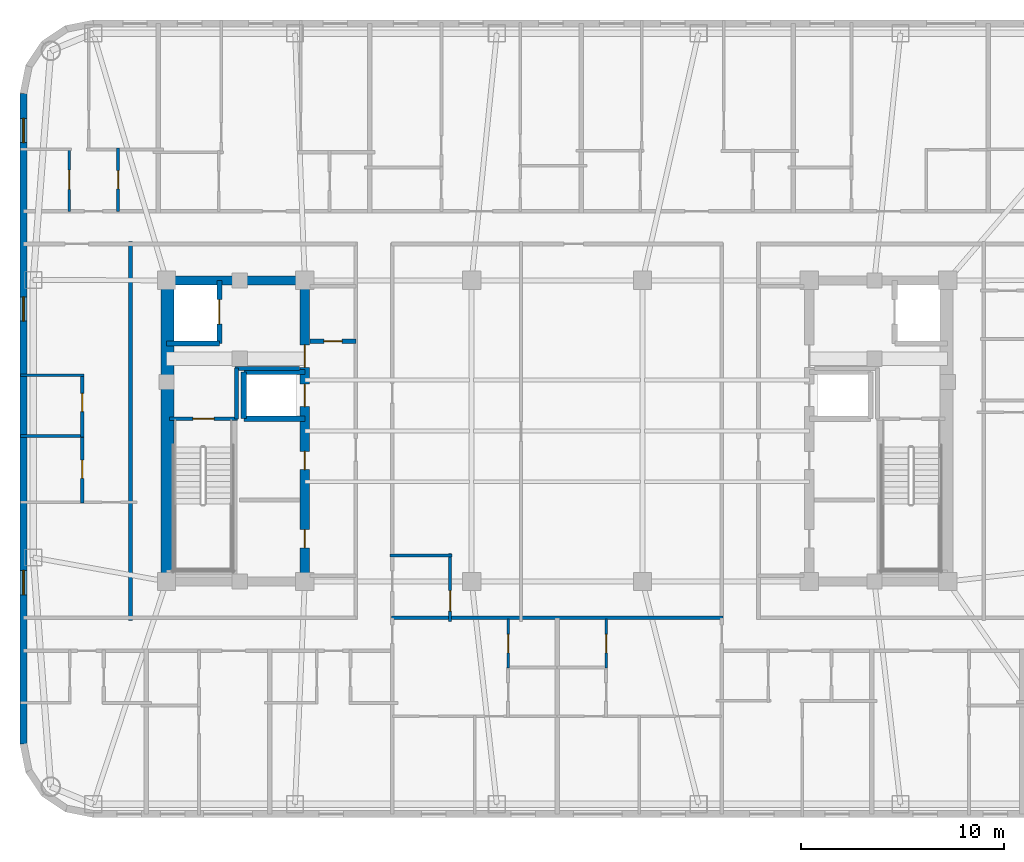
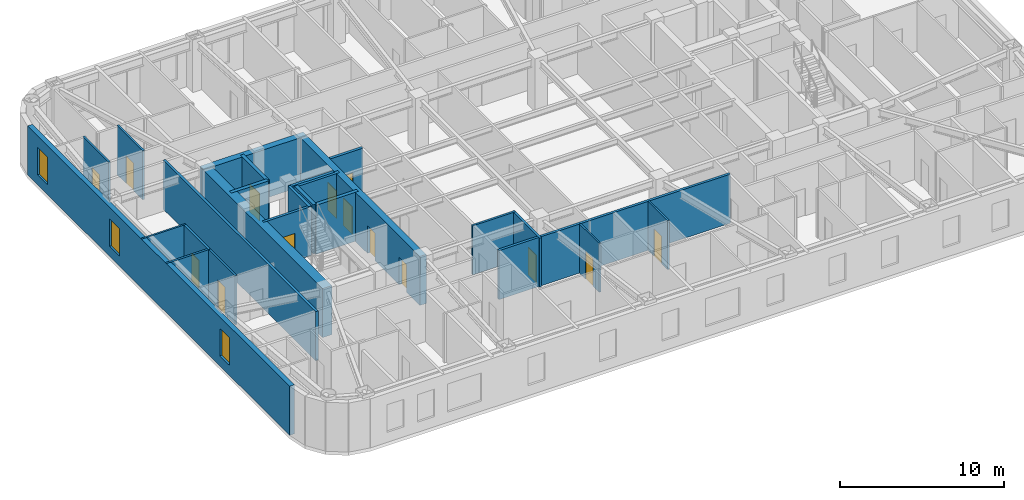
# One storey, part 4 of 11: 25 walls, 14 doors, 3 windows, 17 openings.
"""IFC4 building model written with IfcOpenShell, lengths in metres."""

from ifc_helpers import new_model, si_unit, direction, frame, frame_2d, origin, place, context, subcontext, project, spatial, rectangle, extrude, material, layer, layer_set, type_object, element, fill, save


model = new_model("IFC4")

# Units and contexts
model_context = context("Model", 3, precision=1e-05, world=origin(), true_north=direction((0.0, 1.0)))
body_context = subcontext(model_context, "Body", "Model", "MODEL_VIEW")
ifc_project = project(units=[si_unit("LENGTHUNIT", "METRE"), si_unit("AREAUNIT", "SQUARE_METRE"), si_unit("VOLUMEUNIT", "CUBIC_METRE"), si_unit("PLANEANGLEUNIT", "RADIAN"), si_unit("MASSUNIT", "GRAM", prefix="KILO")], contexts=[model_context])

# Site, building, storey
site_placement = place(None, origin())
site = spatial("IfcSite", under=ifc_project, at=site_placement, CompositionType="ELEMENT")
building_placement = place(site_placement, origin())
building = spatial("IfcBuilding", under=site, at=building_placement, Name="Voryun Gate Residences", CompositionType="ELEMENT")
storey_placement = place(building_placement, frame((0.0, 0.0, 223.60009765625)))
storey = spatial("IfcBuildingStorey", under=building, at=storey_placement, Name="L55", CompositionType="ELEMENT", Elevation=223.60009765625)

# Wall
ifc_material_1 = material(Name="Concrete C50/60", Category="concrete")
ifc_layer_1 = layer(ifc_material_1, 0.449951171875, Name="CW_CORE_450")
ifc_layer_set_1 = layer_set([ifc_layer_1], Name="Concrete C50/60")
wall_type_1 = type_object("IfcWallType", Name="CW_CORE_450", PredefinedType="SHEAR", material=ifc_layer_set_1)
wall_1_placement = place(storey_placement, frame((-19.425048828125, 7.39990234375, 0.0), z_axis=(0.0, 0.0, 1.0), x_axis=(1.0, 0.0, 0.0)))
element("IfcWall", 1, at=wall_1_placement, inside=storey, type_object=wall_type_1, Name="L55 Core shear wall CW-L55-WN", PredefinedType="SHEAR", context=body_context, shape_type="SweptSolid", body=[
    extrude(rectangle(XDim=7.25, YDim=0.449951171875, at=frame_2d((3.625, 0.0))), origin(), (0.0, 0.0, 1.0), 3.64990234375),
])

# Wall, openings, doors
wall_2_placement = place(storey_placement, frame((-12.39990234375, -7.39990234375, 0.0), z_axis=(0.0, 0.0, 1.0), x_axis=(0.0, 1.0, 0.0)))
wall_2 = element("IfcWall", 2, at=wall_2_placement, inside=storey, type_object=wall_type_1, Name="L55 Core shear wall CW-L55-WE", PredefinedType="SHEAR", context=body_context, shape_type="SweptSolid", body=[
    extrude(rectangle(XDim=14.7998046875, YDim=0.449951171875, at=frame_2d((7.39990234375, 0.0))), origin(), (0.0, 0.0, 1.0), 3.64990234375),
])
opening_1_placement = place(wall_2_placement, frame((8.60009765625, 0.0, 0.0)))
opening_1 = element("IfcOpeningElement", 3, at=opening_1_placement, cuts=wall_2, Name="Opening LD2", PredefinedType="OPENING", context=body_context, shape_type="SweptSolid", body=[
    extrude(rectangle(XDim=1.10009765625, YDim=2.050048828125, at=frame_2d((0.550048828125, 1.02490234375))), frame((0.0, 0.235107421875, 0.0), z_axis=(0.0, -1.0, 0.0), x_axis=(1.0, 0.0, 0.0)), (0.0, 0.0, 1.0), 0.469970703125),
])
opening_2_placement = place(wall_2_placement, frame((10.530029296875, 0.0, 0.0)))
opening_2 = element("IfcOpeningElement", 4, at=opening_2_placement, cuts=wall_2, Name="Opening D-FD60-2", PredefinedType="OPENING", context=body_context, shape_type="SweptSolid", body=[
    extrude(rectangle(XDim=1.10009765625, YDim=2.050048828125, at=frame_2d((0.550048828125, 1.02490234375))), frame((0.0, 0.235107421875, 0.0), z_axis=(0.0, -1.0, 0.0), x_axis=(1.0, 0.0, 0.0)), (0.0, 0.0, 1.0), 0.469970703125),
])
opening_3_placement = place(wall_2_placement, frame((1.64990234375, 0.0, 0.0)))
opening_3 = element("IfcOpeningElement", 5, at=opening_3_placement, cuts=wall_2, Name="Opening D-FD60-4", PredefinedType="OPENING", context=body_context, shape_type="SweptSolid", body=[
    extrude(rectangle(XDim=0.89990234375, YDim=2.050048828125, at=frame_2d((0.449951171875, 1.02490234375))), frame((0.0, 0.235107421875, 0.0), z_axis=(0.0, -1.0, 0.0), x_axis=(1.0, 0.0, 0.0)), (0.0, 0.0, 1.0), 0.469970703125),
])
opening_4_placement = place(wall_2_placement, frame((5.5, 0.0, 0.0)))
opening_4 = element("IfcOpeningElement", 6, at=opening_4_placement, cuts=wall_2, Name="Opening D-FD60-4", PredefinedType="OPENING", context=body_context, shape_type="SweptSolid", body=[
    extrude(rectangle(XDim=0.89990234375, YDim=2.050048828125, at=frame_2d((0.449951171875, 1.02490234375))), frame((0.0, 0.235107421875, 0.0), z_axis=(0.0, -1.0, 0.0), x_axis=(1.0, 0.0, 0.0)), (0.0, 0.0, 1.0), 0.469970703125),
])
ifc_material_2 = material(Name="Painted steel fire door", Category="steel")
door_type_1 = type_object("IfcDoorType", Name="DR_FD60_FFLOB_1100", OperationType="NOTDEFINED", PredefinedType="DOOR", material=ifc_material_2)
door_1_placement = place(opening_2_placement, origin())
door_1 = element("IfcDoor", 7, at=door_1_placement, inside=storey, type_object=door_type_1, Name="Door DR-L55-CLOB-W", OperationType="SINGLE_SWING_LEFT", OverallHeight=2.050048828125, OverallWidth=1.10009765625, PredefinedType="DOOR", context=body_context, shape_type="SweptSolid", body=[
    extrude(rectangle(XDim=1.10009765625, YDim=2.050048828125, at=frame_2d((0.550048828125, 1.02490234375))), frame((0.0, 0.02490234375, 0.0), z_axis=(0.0, -1.0, 0.0), x_axis=(1.0, 0.0, 0.0)), (0.0, 0.0, 1.0), 0.050048828125),
])
fill(opening_2, door_1)
ifc_material_3 = material(Name="Painted steel fire door", Category="steel")
door_type_2 = type_object("IfcDoorType", Name="DR_FD60_RISER_900", OperationType="NOTDEFINED", PredefinedType="DOOR", material=ifc_material_3)
door_2_placement = place(opening_3_placement, origin())
door_2 = element("IfcDoor", 8, at=door_2_placement, inside=storey, type_object=door_type_2, Name="Door DR-L55-RECW-HS", OperationType="SINGLE_SWING_LEFT", OverallHeight=2.050048828125, OverallWidth=0.89990234375, PredefinedType="DOOR", context=body_context, shape_type="SweptSolid", body=[
    extrude(rectangle(XDim=0.89990234375, YDim=2.050048828125, at=frame_2d((0.449951171875, 1.02490234375))), frame((0.0, 0.02490234375, 0.0), z_axis=(0.0, -1.0, 0.0), x_axis=(1.0, 0.0, 0.0)), (0.0, 0.0, 1.0), 0.050048828125),
])
fill(opening_3, door_2)
door_3_placement = place(opening_4_placement, origin())
door_3 = element("IfcDoor", 9, at=door_3_placement, inside=storey, type_object=door_type_2, Name="Door DR-L55-RECW-HN", OperationType="SINGLE_SWING_RIGHT", OverallHeight=2.050048828125, OverallWidth=0.89990234375, PredefinedType="DOOR", context=body_context, shape_type="SweptSolid", body=[
    extrude(rectangle(XDim=0.89990234375, YDim=2.050048828125, at=frame_2d((0.449951171875, 1.02490234375))), frame((0.0, 0.02490234375, 0.0), z_axis=(0.0, -1.0, 0.0), x_axis=(1.0, 0.0, 0.0)), (0.0, 0.0, 1.0), 0.050048828125),
])
fill(opening_4, door_3)
ifc_material_4 = material(Name="Anodised aluminium", Category="aluminium")
door_type_3 = type_object("IfcDoorType", Name="DR_LD_PASS_1100", OperationType="NOTDEFINED", PredefinedType="DOOR", material=ifc_material_4)
door_4_placement = place(opening_1_placement, origin())
door_4 = element("IfcDoor", 10, at=door_4_placement, inside=storey, type_object=door_type_3, Name="Lift EL-P7 sliding landing door L55", OperationType="SLIDING_TO_LEFT", OverallHeight=2.050048828125, OverallWidth=1.10009765625, PredefinedType="DOOR", context=body_context, shape_type="SweptSolid", body=[
    extrude(rectangle(XDim=1.10009765625, YDim=2.050048828125, at=frame_2d((0.550048828125, 1.02490234375))), frame((0.0, 0.02490234375, 0.0), z_axis=(0.0, -1.0, 0.0), x_axis=(1.0, 0.0, 0.0)), (0.0, 0.0, 1.0), 0.050048828125),
])
fill(opening_1, door_4)

# Wall
ifc_material_5 = material(Name="Concrete C60/75", Category="concrete")
ifc_layer_2 = layer(ifc_material_5, 0.64990234375, Name="CW_CORE_650")
ifc_layer_set_2 = layer_set([ifc_layer_2], Name="Concrete C60/75")
wall_type_2 = type_object("IfcWallType", Name="CW_CORE_650", PredefinedType="SHEAR", material=ifc_layer_set_2)
wall_3_placement = place(storey_placement, frame((-19.14501953125, -7.39990234375, 0.0), z_axis=(0.0, 0.0, 1.0), x_axis=(0.0, 1.0, 0.0)))
element("IfcWall", 11, at=wall_3_placement, inside=storey, type_object=wall_type_2, Name="L55 Core shear wall CW-L55-WW", PredefinedType="SHEAR", context=body_context, shape_type="SweptSolid", body=[
    extrude(rectangle(XDim=14.7998046875, YDim=0.64990234375, at=frame_2d((7.39990234375, 0.0))), origin(), (0.0, 0.0, 1.0), 3.64990234375),
])

# Wall, opening, door
ifc_material_6 = material(Name="Gypsum acoustic fireboard")
ifc_layer_3 = layer(ifc_material_6, 0.179931640625, Name="W_CORR_RATED_180")
ifc_layer_set_3 = layer_set([ifc_layer_3], Name="Gypsum acoustic fireboard")
wall_type_3 = type_object("IfcWallType", Name="W_CORR_RATED_180", PredefinedType="PARTITIONING", material=ifc_layer_set_3)
wall_4_placement = place(storey_placement, frame((-19.06005859375, 0.60009765625, 0.0), z_axis=(0.0, 0.0, 1.0), x_axis=(1.0, 0.0, 0.0)))
wall_4 = element("IfcWall", 12, at=wall_4_placement, inside=storey, type_object=wall_type_3, Name="Partition wall WP-L55-STV-W", PredefinedType="PARTITIONING", context=body_context, shape_type="SweptSolid", body=[
    extrude(rectangle(XDim=3.360107421875, YDim=0.179931640625, at=frame_2d((1.68017578125, 0.0))), origin(), (0.0, 0.0, 1.0), 3.64990234375),
])
opening_5_placement = place(wall_4_placement, frame((1.155029296875, 0.0, 0.0)))
opening_5 = element("IfcOpeningElement", 13, at=opening_5_placement, cuts=wall_4, Name="Opening D-FD60-1", PredefinedType="OPENING", context=body_context, shape_type="SweptSolid", body=[
    extrude(rectangle(XDim=1.050048828125, YDim=2.050048828125, at=frame_2d((0.52490234375, 1.02490234375))), frame((0.0, 0.099853515625, 0.0), z_axis=(0.0, -1.0, 0.0), x_axis=(1.0, 0.0, 0.0)), (0.0, 0.0, 1.0), 0.199951171875),
])
ifc_material_7 = material(Name="Painted steel fire door", Category="steel")
door_type_4 = type_object("IfcDoorType", Name="DR_FD60_STAIR_1050", OperationType="NOTDEFINED", PredefinedType="DOOR", material=ifc_material_7)
door_5_placement = place(opening_5_placement, origin())
door_5 = element("IfcDoor", 14, at=door_5_placement, inside=storey, type_object=door_type_4, Name="Door DR-L55-ST-W", OperationType="SINGLE_SWING_LEFT", OverallHeight=2.050048828125, OverallWidth=1.050048828125, PredefinedType="DOOR", context=body_context, shape_type="SweptSolid", body=[
    extrude(rectangle(XDim=1.050048828125, YDim=2.050048828125, at=frame_2d((0.52490234375, 1.02490234375))), frame((0.0, 0.02490234375, 0.0), z_axis=(0.0, -1.0, 0.0), x_axis=(1.0, 0.0, 0.0)), (0.0, 0.0, 1.0), 0.050048828125),
])
fill(opening_5, door_5)

# Walls
wall_5_placement = place(storey_placement, frame((-8.14990234375, -9.18994140625, 0.0), z_axis=(0.0, 0.0, 1.0), x_axis=(1.0, 0.0, 0.0)))
element("IfcWall", 15, at=wall_5_placement, inside=storey, type_object=wall_type_3, Name="Partition wall WP-L55-Z3S", PredefinedType="PARTITIONING", context=body_context, shape_type="SweptSolid", body=[
    extrude(rectangle(XDim=16.2998046875, YDim=0.179931640625, at=frame_2d((8.14990234375, 0.0))), origin(), (0.0, 0.0, 1.0), 3.64990234375),
])
wall_6_placement = place(storey_placement, frame((-20.969970703125, -9.31005859375, 0.0), z_axis=(0.0, 0.0, 1.0), x_axis=(0.0, 1.0, 0.0)))
element("IfcWall", 16, at=wall_6_placement, inside=storey, type_object=wall_type_3, Name="Partition wall WP-L55-WCOR", PredefinedType="PARTITIONING", context=body_context, shape_type="SweptSolid", body=[
    extrude(rectangle(XDim=18.6201171875, YDim=0.179931640625, at=frame_2d((9.31005859375, 0.0))), origin(), (0.0, 0.0, 1.0), 3.64990234375),
])

# Wall, openings, windows
ifc_material_8 = material(Name="Charcoal terracotta masonry", Category="masonry")
ifc_layer_4 = layer(ifc_material_8, 0.340087890625, Name="W_EXT_TERRACOTTA_340")
ifc_layer_set_4 = layer_set([ifc_layer_4], Name="Charcoal terracotta masonry")
wall_type_4 = type_object("IfcWallType", Name="W_EXT_TERRACOTTA_340", PredefinedType="ELEMENTEDWALL", material=ifc_layer_set_4)
wall_7_placement = place(storey_placement, frame((-26.22998046875, -15.38330078125, 0.0), z_axis=(0.0, 0.0, 1.0), x_axis=(0.0, 1.0, 0.0)))
wall_7 = element("IfcWall", 17, at=wall_7_placement, inside=storey, type_object=wall_type_4, Name="Exterior wall WEXT-L55-06", PredefinedType="ELEMENTEDWALL", context=body_context, shape_type="SweptSolid", body=[
    extrude(rectangle(XDim=31.966552734375, YDim=0.340087890625, at=frame_2d((15.9833984375, 0.0))), origin(), (0.0, 0.0, 1.0), 3.64990234375),
])
opening_6_placement = place(wall_7_placement, frame((29.549560546875, 0.0, 0.75)))
opening_6 = element("IfcOpeningElement", 18, at=opening_6_placement, cuts=wall_7, Name="Opening WN6", PredefinedType="OPENING", context=body_context, shape_type="SweptSolid", body=[
    extrude(rectangle(XDim=1.199951171875, YDim=2.050048828125, at=frame_2d((0.60009765625, 1.02490234375))), frame((0.0, 0.179931640625, 0.0), z_axis=(0.0, -1.0, 0.0), x_axis=(1.0, 0.0, 0.0)), (0.0, 0.0, 1.0), 0.360107421875),
])
opening_7_placement = place(wall_7_placement, frame((20.7783203125, 0.0, 0.75)))
opening_7 = element("IfcOpeningElement", 19, at=opening_7_placement, cuts=wall_7, Name="Opening WN6", PredefinedType="OPENING", context=body_context, shape_type="SweptSolid", body=[
    extrude(rectangle(XDim=1.199951171875, YDim=2.050048828125, at=frame_2d((0.60009765625, 1.02490234375))), frame((0.0, 0.179931640625, 0.0), z_axis=(0.0, -1.0, 0.0), x_axis=(1.0, 0.0, 0.0)), (0.0, 0.0, 1.0), 0.360107421875),
])
opening_8_placement = place(wall_7_placement, frame((7.3232421875, 0.0, 0.75)))
opening_8 = element("IfcOpeningElement", 20, at=opening_8_placement, cuts=wall_7, Name="Opening WN6", PredefinedType="OPENING", context=body_context, shape_type="SweptSolid", body=[
    extrude(rectangle(XDim=1.199951171875, YDim=2.050048828125, at=frame_2d((0.60009765625, 1.02490234375))), frame((0.0, 0.179931640625, 0.0), z_axis=(0.0, -1.0, 0.0), x_axis=(1.0, 0.0, 0.0)), (0.0, 0.0, 1.0), 0.360107421875),
])
ifc_material_9 = material(Name="Laminated low-E glass", Category="glass")
window_type = type_object("IfcWindowType", Name="WN_POD_SLOT_1200", PartitioningType="SINGLE_PANEL", PredefinedType="WINDOW", material=ifc_material_9)
window_1_placement = place(opening_6_placement, origin())
window_1 = element("IfcWindow", 21, at=window_1_placement, inside=storey, type_object=window_type, Name="Window WN-L55-DWFIX-01", OverallHeight=2.050048828125, OverallWidth=1.199951171875, PartitioningType="SINGLE_PANEL", PredefinedType="WINDOW", context=body_context, shape_type="SweptSolid", body=[
    extrude(rectangle(XDim=1.199951171875, YDim=2.050048828125, at=frame_2d((0.60009765625, 1.02490234375))), frame((0.0, 0.030029296875, 0.0), z_axis=(0.0, -1.0, 0.0), x_axis=(1.0, 0.0, 0.0)), (0.0, 0.0, 1.0), 0.06005859375),
])
fill(opening_6, window_1)
window_2_placement = place(opening_7_placement, origin())
window_2 = element("IfcWindow", 22, at=window_2_placement, inside=storey, type_object=window_type, Name="Window WN-L55-DWFIX-27", OverallHeight=2.050048828125, OverallWidth=1.199951171875, PartitioningType="SINGLE_PANEL", PredefinedType="WINDOW", context=body_context, shape_type="SweptSolid", body=[
    extrude(rectangle(XDim=1.199951171875, YDim=2.050048828125, at=frame_2d((0.60009765625, 1.02490234375))), frame((0.0, 0.030029296875, 0.0), z_axis=(0.0, -1.0, 0.0), x_axis=(1.0, 0.0, 0.0)), (0.0, 0.0, 1.0), 0.06005859375),
])
fill(opening_7, window_2)
window_3_placement = place(opening_8_placement, origin())
window_3 = element("IfcWindow", 23, at=window_3_placement, inside=storey, type_object=window_type, Name="Window WN-L55-DWFIX-28", OverallHeight=2.050048828125, OverallWidth=1.199951171875, PartitioningType="SINGLE_PANEL", PredefinedType="WINDOW", context=body_context, shape_type="SweptSolid", body=[
    extrude(rectangle(XDim=1.199951171875, YDim=2.050048828125, at=frame_2d((0.60009765625, 1.02490234375))), frame((0.0, 0.030029296875, 0.0), z_axis=(0.0, -1.0, 0.0), x_axis=(1.0, 0.0, 0.0)), (0.0, 0.0, 1.0), 0.06005859375),
])
fill(opening_8, window_3)

# Walls
ifc_material_10 = material(Name="Concrete C40/50", Category="concrete")
ifc_layer_5 = layer(ifc_material_10, 0.199951171875, Name="W_FF_LOBBY_200")
ifc_layer_set_5 = layer_set([ifc_layer_5], Name="Concrete C40/50")
wall_type_5 = type_object("IfcWallType", Name="W_FF_LOBBY_200", PredefinedType="PARTITIONING", material=ifc_layer_set_5)
wall_8_placement = place(storey_placement, frame((-15.760009765625, 0.580078125, 0.0), z_axis=(0.0, 0.0, 1.0), x_axis=(0.0, 1.0, 0.0)))
element("IfcWall", 24, at=wall_8_placement, inside=storey, type_object=wall_type_5, Name="Partition wall WP-L55-FFP0-W", PredefinedType="PARTITIONING", context=body_context, shape_type="SweptSolid", body=[
    extrude(rectangle(XDim=2.52001953125, YDim=0.199951171875, at=frame_2d((1.260009765625, 0.0))), origin(), (0.0, 0.0, 1.0), 3.64990234375),
])
wall_9_placement = place(storey_placement, frame((-15.820068359375, 3.06005859375, 0.0), z_axis=(0.0, 0.0, 1.0), x_axis=(1.0, 0.0, 0.0)))
element("IfcWall", 25, at=wall_9_placement, inside=storey, type_object=wall_type_5, Name="Partition wall WP-L55-FFPS-W", PredefinedType="PARTITIONING", context=body_context, shape_type="SweptSolid", body=[
    extrude(rectangle(XDim=3.16015625, YDim=0.199951171875, at=frame_2d((1.580078125, 0.0))), origin(), (0.0, 0.0, 1.0), 3.64990234375),
])

# Wall, opening, door
wall_10_placement = place(storey_placement, frame((-12.14990234375, 4.409912109375, 0.0), z_axis=(0.0, 0.0, 1.0), x_axis=(1.0, 0.0, 0.0)))
wall_10 = element("IfcWall", 26, at=wall_10_placement, inside=storey, type_object=wall_type_5, Name="Partition wall WP-L55-CSFLKS-W", PredefinedType="PARTITIONING", context=body_context, shape_type="SweptSolid", body=[
    extrude(rectangle(XDim=2.27001953125, YDim=0.199951171875, at=frame_2d((1.135009765625, 0.0))), origin(), (0.0, 0.0, 1.0), 3.64990234375),
])
opening_9_placement = place(wall_10_placement, frame((0.68505859375, 0.0, 0.0)))
opening_9 = element("IfcOpeningElement", 27, at=opening_9_placement, cuts=wall_10, Name="Opening D-FD60-4", PredefinedType="OPENING", context=body_context, shape_type="SweptSolid", body=[
    extrude(rectangle(XDim=0.89990234375, YDim=2.050048828125, at=frame_2d((0.449951171875, 1.02490234375))), frame((0.0, 0.110107421875, 0.0), z_axis=(0.0, -1.0, 0.0), x_axis=(1.0, 0.0, 0.0)), (0.0, 0.0, 1.0), 0.219970703125),
])
door_6_placement = place(opening_9_placement, origin())
door_6 = element("IfcDoor", 28, at=door_6_placement, inside=storey, type_object=door_type_2, Name="Door DR-L55-CSFLK-W", OperationType="SINGLE_SWING_LEFT", OverallHeight=2.050048828125, OverallWidth=0.89990234375, PredefinedType="DOOR", context=body_context, shape_type="SweptSolid", body=[
    extrude(rectangle(XDim=0.89990234375, YDim=2.050048828125, at=frame_2d((0.449951171875, 1.02490234375))), frame((0.0, 0.02490234375, 0.0), z_axis=(0.0, -1.0, 0.0), x_axis=(1.0, 0.0, 0.0)), (0.0, 0.0, 1.0), 0.050048828125),
])
fill(opening_9, door_6)

# Wall
ifc_material_11 = material(Name="Concrete C50/60", Category="concrete")
ifc_layer_6 = layer(ifc_material_11, 0.25, Name="W_SHAFT_RC250")
ifc_layer_set_6 = layer_set([ifc_layer_6], Name="Concrete C50/60")
wall_type_6 = type_object("IfcWallType", Name="W_SHAFT_RC250", PredefinedType="SOLIDWALL", material=ifc_layer_set_6)
wall_11_placement = place(storey_placement, frame((-19.199951171875, 4.300048828125, 0.0), z_axis=(0.0, 0.0, 1.0), x_axis=(1.0, 0.0, 0.0)))
element("IfcWall", 29, at=wall_11_placement, inside=storey, type_object=wall_type_6, Name="Lift shaft wall WSH-L55-EL-FF-W1-S", PredefinedType="SOLIDWALL", context=body_context, shape_type="SweptSolid", body=[
    extrude(rectangle(XDim=2.599853515625, YDim=0.25, at=frame_2d((1.2998046875, 0.0))), origin(), (0.0, 0.0, 1.0), 3.64990234375),
])

# Wall, opening, door
wall_12_placement = place(storey_placement, frame((-16.60009765625, 4.300048828125, 0.0), z_axis=(0.0, 0.0, 1.0), x_axis=(0.0, 1.0, 0.0)))
wall_12 = element("IfcWall", 30, at=wall_12_placement, inside=storey, type_object=wall_type_6, Name="Lift shaft wall WSH-L55-EL-FF-W1-E", PredefinedType="SOLIDWALL", context=body_context, shape_type="SweptSolid", body=[
    extrude(rectangle(XDim=3.099853515625, YDim=0.25, at=frame_2d((1.5498046875, 0.0))), origin(), (0.0, 0.0, 1.0), 3.64990234375),
])
opening_10_placement = place(wall_12_placement, frame((0.949951171875, 0.0, 0.0)))
opening_10 = element("IfcOpeningElement", 31, at=opening_10_placement, cuts=wall_12, Name="Opening LD1", PredefinedType="OPENING", context=body_context, shape_type="SweptSolid", body=[
    extrude(rectangle(XDim=1.199951171875, YDim=2.050048828125, at=frame_2d((0.60009765625, 1.02490234375))), frame((0.0, 0.135009765625, 0.0), z_axis=(0.0, -1.0, 0.0), x_axis=(1.0, 0.0, 0.0)), (0.0, 0.0, 1.0), 0.27001953125),
])
ifc_material_12 = material(Name="Anodised aluminium", Category="aluminium")
door_type_5 = type_object("IfcDoorType", Name="DR_LD_FF_1200", OperationType="NOTDEFINED", PredefinedType="DOOR", material=ifc_material_12)
door_7_placement = place(opening_10_placement, origin())
door_7 = element("IfcDoor", 32, at=door_7_placement, inside=storey, type_object=door_type_5, Name="Lift EL-FF-W1 sliding landing door L55", OperationType="SLIDING_TO_LEFT", OverallHeight=2.050048828125, OverallWidth=1.199951171875, PredefinedType="DOOR", context=body_context, shape_type="SweptSolid", body=[
    extrude(rectangle(XDim=1.199951171875, YDim=2.050048828125, at=frame_2d((0.60009765625, 1.02490234375))), frame((0.0, 0.02490234375, 0.0), z_axis=(0.0, -1.0, 0.0), x_axis=(1.0, 0.0, 0.0)), (0.0, 0.0, 1.0), 0.050048828125),
])
fill(opening_10, door_7)

# Walls
for number, where, z_axis, x_axis, name in (
    (33, (-15.39990234375, 0.60009765625, 0.0), (0.0, 0.0, 1.0), (1.0, 0.0, 0.0), "Lift shaft wall WSH-L55-EL-P7-S"),
    (34, (-12.39990234375, 2.89990234375, 0.0), (0.0, 0.0, 1.0), (-1.0, 0.0, 0.0), "Lift shaft wall WSH-L55-EL-P7-N"),
):
    element("IfcWall", number, at=place(storey_placement, frame(where, z_axis=z_axis, x_axis=x_axis)), inside=storey, type_object=wall_type_6, Name=name, PredefinedType="SOLIDWALL", context=body_context, shape_type="SweptSolid", body=[
        extrude(rectangle(XDim=3.0, YDim=0.25, at=frame_2d((1.5, 0.0))), origin(), (0.0, 0.0, 1.0), 3.64990234375),
    ])
wall_13_placement = place(storey_placement, frame((-15.39990234375, 2.89990234375, 0.0), z_axis=(0.0, 0.0, 1.0), x_axis=(0.0, -1.0, 0.0)))
element("IfcWall", 35, at=wall_13_placement, inside=storey, type_object=wall_type_6, Name="Lift shaft wall WSH-L55-EL-P7-W", PredefinedType="SOLIDWALL", context=body_context, shape_type="SweptSolid", body=[
    extrude(rectangle(XDim=2.2998046875, YDim=0.25, at=frame_2d((1.14990234375, 0.0))), origin(), (0.0, 0.0, 1.0), 3.64990234375),
])

# Wall, opening, door
ifc_material_13 = material(Name="Gypsum acoustic partition")
ifc_layer_7 = layer(ifc_material_13, 0.125, Name="W_UNIT_PART_125")
ifc_layer_set_7 = layer_set([ifc_layer_7], Name="Gypsum acoustic partition")
wall_type_7 = type_object("IfcWallType", Name="W_UNIT_PART_125", PredefinedType="PARTITIONING", material=ifc_layer_set_7)
wall_14_placement = place(storey_placement, frame((-23.987060546875, 10.780029296875, 0.0), z_axis=(0.0, 0.0, 1.0), x_axis=(0.0, 1.0, 0.0)))
wall_14 = element("IfcWall", 36, at=wall_14_placement, inside=storey, type_object=wall_type_7, Name="Partition wall WP-L55-N1-IVK", PredefinedType="PARTITIONING", context=body_context, shape_type="SweptSolid", body=[
    extrude(rectangle(XDim=3.138916015625, YDim=0.125, at=frame_2d((1.5693359375, 0.0))), origin(), (0.0, 0.0, 1.0), 3.64990234375),
])
opening_11_placement = place(wall_14_placement, frame((1.094482421875, 0.0, 0.0)))
opening_11 = element("IfcOpeningElement", 37, at=opening_11_placement, cuts=wall_14, Name="Opening D-INT-1", PredefinedType="OPENING", context=body_context, shape_type="SweptSolid", body=[
    extrude(rectangle(XDim=0.949951171875, YDim=2.050048828125, at=frame_2d((0.47509765625, 1.02490234375))), frame((0.0, 0.072509765625, 0.0), z_axis=(0.0, -1.0, 0.0), x_axis=(1.0, 0.0, 0.0)), (0.0, 0.0, 1.0), 0.14501953125),
])
ifc_material_14 = material(Name="Architectural oak veneer")
door_type_6 = type_object("IfcDoorType", Name="DR_INT_ROOM_950", OperationType="NOTDEFINED", PredefinedType="DOOR", material=ifc_material_14)
door_8_placement = place(opening_11_placement, origin())
door_8 = element("IfcDoor", 38, at=door_8_placement, inside=storey, type_object=door_type_6, Name="Door DR-L55-N1-DK", OperationType="SINGLE_SWING_LEFT", OverallHeight=2.050048828125, OverallWidth=0.949951171875, PredefinedType="DOOR", context=body_context, shape_type="SweptSolid", body=[
    extrude(rectangle(XDim=0.949951171875, YDim=2.050048828125, at=frame_2d((0.47509765625, 1.02490234375))), frame((0.0, 0.02490234375, 0.0), z_axis=(0.0, -1.0, 0.0), x_axis=(1.0, 0.0, 0.0)), (0.0, 0.0, 1.0), 0.050048828125),
])
fill(opening_11, door_8)

wall_15_placement = place(storey_placement, frame((-2.409912109375, -11.659912109375, 0.0), z_axis=(0.0, 0.0, 1.0), x_axis=(0.0, 1.0, 0.0)))
wall_15 = element("IfcWall", 39, at=wall_15_placement, inside=storey, type_object=wall_type_7, Name="Partition wall WP-L55-SC1-VK1", PredefinedType="PARTITIONING", context=body_context, shape_type="SweptSolid", body=[
    extrude(rectangle(XDim=2.409912109375, YDim=0.125, at=frame_2d((1.205078125, 0.0))), origin(), (0.0, 0.0, 1.0), 3.64990234375),
])
opening_12_placement = place(wall_15_placement, frame((0.7548828125, 0.0, 0.0)))
opening_12 = element("IfcOpeningElement", 40, at=opening_12_placement, cuts=wall_15, Name="Opening D-INT-2", PredefinedType="OPENING", context=body_context, shape_type="SweptSolid", body=[
    extrude(rectangle(XDim=0.89990234375, YDim=2.050048828125, at=frame_2d((0.449951171875, 1.02490234375))), frame((0.0, 0.072509765625, 0.0), z_axis=(0.0, -1.0, 0.0), x_axis=(1.0, 0.0, 0.0)), (0.0, 0.0, 1.0), 0.14501953125),
])
ifc_material_15 = material(Name="Architectural oak veneer")
door_type_7 = type_object("IfcDoorType", Name="DR_INT_BATH_900", OperationType="NOTDEFINED", PredefinedType="DOOR", material=ifc_material_15)
door_9_placement = place(opening_12_placement, origin())
door_9 = element("IfcDoor", 41, at=door_9_placement, inside=storey, type_object=door_type_7, Name="Door DR-L55-SC1-DK", OperationType="SINGLE_SWING_LEFT", OverallHeight=2.050048828125, OverallWidth=0.89990234375, PredefinedType="DOOR", context=body_context, shape_type="SweptSolid", body=[
    extrude(rectangle(XDim=0.89990234375, YDim=2.050048828125, at=frame_2d((0.449951171875, 1.02490234375))), frame((0.0, 0.02490234375, 0.0), z_axis=(0.0, -1.0, 0.0), x_axis=(1.0, 0.0, 0.0)), (0.0, 0.0, 1.0), 0.050048828125),
])
fill(opening_12, door_9)

wall_16_placement = place(storey_placement, frame((2.409912109375, -11.659912109375, 0.0), z_axis=(0.0, 0.0, 1.0), x_axis=(0.0, 1.0, 0.0)))
wall_16 = element("IfcWall", 42, at=wall_16_placement, inside=storey, type_object=wall_type_7, Name="Partition wall WP-L55-SC2-VK1", PredefinedType="PARTITIONING", context=body_context, shape_type="SweptSolid", body=[
    extrude(rectangle(XDim=2.409912109375, YDim=0.125, at=frame_2d((1.205078125, 0.0))), origin(), (0.0, 0.0, 1.0), 3.64990234375),
])
opening_13_placement = place(wall_16_placement, frame((0.7548828125, 0.0, 0.0)))
opening_13 = element("IfcOpeningElement", 43, at=opening_13_placement, cuts=wall_16, Name="Opening D-INT-2", PredefinedType="OPENING", context=body_context, shape_type="SweptSolid", body=[
    extrude(rectangle(XDim=0.89990234375, YDim=2.050048828125, at=frame_2d((0.449951171875, 1.02490234375))), frame((0.0, 0.072509765625, 0.0), z_axis=(0.0, -1.0, 0.0), x_axis=(1.0, 0.0, 0.0)), (0.0, 0.0, 1.0), 0.14501953125),
])
door_10_placement = place(opening_13_placement, origin())
door_10 = element("IfcDoor", 44, at=door_10_placement, inside=storey, type_object=door_type_7, Name="Door DR-L55-SC2-DK", OperationType="SINGLE_SWING_LEFT", OverallHeight=2.050048828125, OverallWidth=0.89990234375, PredefinedType="DOOR", context=body_context, shape_type="SweptSolid", body=[
    extrude(rectangle(XDim=0.89990234375, YDim=2.050048828125, at=frame_2d((0.449951171875, 1.02490234375))), frame((0.0, 0.02490234375, 0.0), z_axis=(0.0, -1.0, 0.0), x_axis=(1.0, 0.0, 0.0)), (0.0, 0.0, 1.0), 0.050048828125),
])
fill(opening_13, door_10)

# Wall
wall_17_placement = place(storey_placement, frame((-26.3798828125, 2.739990234375, 0.0), z_axis=(0.0, 0.0, 1.0), x_axis=(1.0, 0.0, 0.0)))
element("IfcWall", 45, at=wall_17_placement, inside=storey, type_object=wall_type_7, Name="Partition wall WP-L55-W1-HZ1", PredefinedType="PARTITIONING", context=body_context, shape_type="SweptSolid", body=[
    extrude(rectangle(XDim=3.119873046875, YDim=0.125, at=frame_2d((1.56005859375, 0.0))), origin(), (0.0, 0.0, 1.0), 3.64990234375),
])

# Wall, opening, door
ifc_material_16 = material(Name="Gypsum moisture-resistant partition")
ifc_layer_8 = layer(ifc_material_16, 0.14990234375, Name="W_WET_PLUMB_150")
ifc_layer_set_8 = layer_set([ifc_layer_8], Name="Gypsum moisture-resistant partition")
wall_type_8 = type_object("IfcWallType", Name="W_WET_PLUMB_150", PredefinedType="PLUMBINGWALL", material=ifc_layer_set_8)
wall_18_placement = place(storey_placement, frame((-5.260009765625, -9.3701171875, 0.0), z_axis=(0.0, 0.0, 1.0), x_axis=(0.0, 1.0, 0.0)))
wall_18 = element("IfcWall", 46, at=wall_18_placement, inside=storey, type_object=wall_type_8, Name="Partition wall WP-L55-CMWCX", PredefinedType="PLUMBINGWALL", context=body_context, shape_type="SweptSolid", body=[
    extrude(rectangle(XDim=3.35009765625, YDim=0.14990234375, at=frame_2d((1.675048828125, 0.0))), origin(), (0.0, 0.0, 1.0), 3.64990234375),
])
opening_14_placement = place(wall_18_placement, frame((0.514892578125, 0.0, 0.0)))
opening_14 = element("IfcOpeningElement", 47, at=opening_14_placement, cuts=wall_18, Name="Opening D-AWC-1", PredefinedType="OPENING", context=body_context, shape_type="SweptSolid", body=[
    extrude(rectangle(XDim=1.0, YDim=2.050048828125, at=frame_2d((0.5, 1.02490234375))), frame((0.0, 0.0849609375, 0.0), z_axis=(0.0, -1.0, 0.0), x_axis=(1.0, 0.0, 0.0)), (0.0, 0.0, 1.0), 0.169921875),
])
ifc_material_17 = material(Name="Architectural oak veneer")
door_type_8 = type_object("IfcDoorType", Name="DR_ACC_WC_1000", OperationType="NOTDEFINED", PredefinedType="DOOR", material=ifc_material_17)
door_11_placement = place(opening_14_placement, origin())
door_11 = element("IfcDoor", 48, at=door_11_placement, inside=storey, type_object=door_type_8, Name="Door DR-L55-CMWC", OperationType="SINGLE_SWING_LEFT", OverallHeight=2.050048828125, OverallWidth=1.0, PredefinedType="DOOR", context=body_context, shape_type="SweptSolid", body=[
    extrude(rectangle(XDim=1.0, YDim=2.050048828125, at=frame_2d((0.5, 1.02490234375))), frame((0.0, 0.02490234375, 0.0), z_axis=(0.0, -1.0, 0.0), x_axis=(1.0, 0.0, 0.0)), (0.0, 0.0, 1.0), 0.050048828125),
])
fill(opening_14, door_11)

# Wall
wall_19_placement = place(storey_placement, frame((-8.2099609375, -6.1201171875, 0.0), z_axis=(0.0, 0.0, 1.0), x_axis=(1.0, 0.0, 0.0)))
element("IfcWall", 49, at=wall_19_placement, inside=storey, type_object=wall_type_8, Name="Partition wall WP-L55-CMWCY", PredefinedType="PLUMBINGWALL", context=body_context, shape_type="SweptSolid", body=[
    extrude(rectangle(XDim=3.050048828125, YDim=0.14990234375, at=frame_2d((1.52490234375, 0.0))), origin(), (0.0, 0.0, 1.0), 3.64990234375),
])

# Wall, opening, door
wall_20_placement = place(storey_placement, frame((-21.580078125, 10.780029296875, 0.0), z_axis=(0.0, 0.0, 1.0), x_axis=(0.0, 1.0, 0.0)))
wall_20 = element("IfcWall", 50, at=wall_20_placement, inside=storey, type_object=wall_type_8, Name="Partition wall WP-L55-N1-IVB", PredefinedType="PLUMBINGWALL", context=body_context, shape_type="SweptSolid", body=[
    extrude(rectangle(XDim=3.138916015625, YDim=0.14990234375, at=frame_2d((1.5693359375, 0.0))), origin(), (0.0, 0.0, 1.0), 3.64990234375),
])
opening_15_placement = place(wall_20_placement, frame((1.119384765625, 0.0, 0.0)))
opening_15 = element("IfcOpeningElement", 51, at=opening_15_placement, cuts=wall_20, Name="Opening D-INT-2", PredefinedType="OPENING", context=body_context, shape_type="SweptSolid", body=[
    extrude(rectangle(XDim=0.89990234375, YDim=2.050048828125, at=frame_2d((0.449951171875, 1.02490234375))), frame((0.0, 0.0849609375, 0.0), z_axis=(0.0, -1.0, 0.0), x_axis=(1.0, 0.0, 0.0)), (0.0, 0.0, 1.0), 0.169921875),
])
door_12_placement = place(opening_15_placement, origin())
door_12 = element("IfcDoor", 52, at=door_12_placement, inside=storey, type_object=door_type_7, Name="Door DR-L55-N1-DB", OperationType="SINGLE_SWING_RIGHT", OverallHeight=2.050048828125, OverallWidth=0.89990234375, PredefinedType="DOOR", context=body_context, shape_type="SweptSolid", body=[
    extrude(rectangle(XDim=0.89990234375, YDim=2.050048828125, at=frame_2d((0.449951171875, 1.02490234375))), frame((0.0, 0.02490234375, 0.0), z_axis=(0.0, -1.0, 0.0), x_axis=(1.0, 0.0, 0.0)), (0.0, 0.0, 1.0), 0.050048828125),
])
fill(opening_15, door_12)

# Wall
wall_21_placement = place(storey_placement, frame((-26.3798828125, -0.260009765625, 0.0), z_axis=(0.0, 0.0, 1.0), x_axis=(1.0, 0.0, 0.0)))
element("IfcWall", 53, at=wall_21_placement, inside=storey, type_object=wall_type_8, Name="Partition wall WP-L55-W1-HZ2", PredefinedType="PLUMBINGWALL", context=body_context, shape_type="SweptSolid", body=[
    extrude(rectangle(XDim=3.119873046875, YDim=0.14990234375, at=frame_2d((1.56005859375, 0.0))), origin(), (0.0, 0.0, 1.0), 3.64990234375),
])

# Wall, opening, door
wall_22_placement = place(storey_placement, frame((-23.340087890625, -3.550048828125, 0.0), z_axis=(0.0, 0.0, 1.0), x_axis=(0.0, 1.0, 0.0)))
wall_22 = element("IfcWall", 54, at=wall_22_placement, inside=storey, type_object=wall_type_8, Name="Partition wall WP-L55-W1-VKB1", PredefinedType="PLUMBINGWALL", context=body_context, shape_type="SweptSolid", body=[
    extrude(rectangle(XDim=3.330078125, YDim=0.14990234375, at=frame_2d((1.6650390625, 0.0))), origin(), (0.0, 0.0, 1.0), 3.64990234375),
])
opening_16_placement = place(wall_22_placement, frame((1.215087890625, 0.0, 0.0)))
opening_16 = element("IfcOpeningElement", 55, at=opening_16_placement, cuts=wall_22, Name="Opening D-INT-2", PredefinedType="OPENING", context=body_context, shape_type="SweptSolid", body=[
    extrude(rectangle(XDim=0.89990234375, YDim=2.050048828125, at=frame_2d((0.449951171875, 1.02490234375))), frame((0.0, 0.0849609375, 0.0), z_axis=(0.0, -1.0, 0.0), x_axis=(1.0, 0.0, 0.0)), (0.0, 0.0, 1.0), 0.169921875),
])
door_13_placement = place(opening_16_placement, origin())
door_13 = element("IfcDoor", 56, at=door_13_placement, inside=storey, type_object=door_type_7, Name="Door DR-L55-W1-DB", OperationType="SINGLE_SWING_LEFT", OverallHeight=2.050048828125, OverallWidth=0.89990234375, PredefinedType="DOOR", context=body_context, shape_type="SweptSolid", body=[
    extrude(rectangle(XDim=0.89990234375, YDim=2.050048828125, at=frame_2d((0.449951171875, 1.02490234375))), frame((0.0, 0.02490234375, 0.0), z_axis=(0.0, -1.0, 0.0), x_axis=(1.0, 0.0, 0.0)), (0.0, 0.0, 1.0), 0.050048828125),
])
fill(opening_16, door_13)

wall_23_placement = place(storey_placement, frame((-23.340087890625, -0.300048828125, 0.0), z_axis=(0.0, 0.0, 1.0), x_axis=(0.0, 1.0, 0.0)))
wall_23 = element("IfcWall", 57, at=wall_23_placement, inside=storey, type_object=wall_type_8, Name="Partition wall WP-L55-W1-VKB2", PredefinedType="PLUMBINGWALL", context=body_context, shape_type="SweptSolid", body=[
    extrude(rectangle(XDim=3.080078125, YDim=0.14990234375, at=frame_2d((1.5400390625, 0.0))), origin(), (0.0, 0.0, 1.0), 3.64990234375),
])
opening_17_placement = place(wall_23_placement, frame((1.243896484375, 0.0, 0.0)))
opening_17 = element("IfcOpeningElement", 58, at=opening_17_placement, cuts=wall_23, Name="Opening D-INT-2", PredefinedType="OPENING", context=body_context, shape_type="SweptSolid", body=[
    extrude(rectangle(XDim=0.89990234375, YDim=2.050048828125, at=frame_2d((0.449951171875, 1.02490234375))), frame((0.0, 0.0849609375, 0.0), z_axis=(0.0, -1.0, 0.0), x_axis=(1.0, 0.0, 0.0)), (0.0, 0.0, 1.0), 0.169921875),
])
door_14_placement = place(opening_17_placement, origin())
door_14 = element("IfcDoor", 59, at=door_14_placement, inside=storey, type_object=door_type_7, Name="Door DR-L55-W1-DK", OperationType="SINGLE_SWING_RIGHT", OverallHeight=2.050048828125, OverallWidth=0.89990234375, PredefinedType="DOOR", context=body_context, shape_type="SweptSolid", body=[
    extrude(rectangle(XDim=0.89990234375, YDim=2.050048828125, at=frame_2d((0.449951171875, 1.02490234375))), frame((0.0, 0.02490234375, 0.0), z_axis=(0.0, -1.0, 0.0), x_axis=(1.0, 0.0, 0.0)), (0.0, 0.0, 1.0), 0.050048828125),
])
fill(opening_17, door_14)

save(model, "model.ifc")
